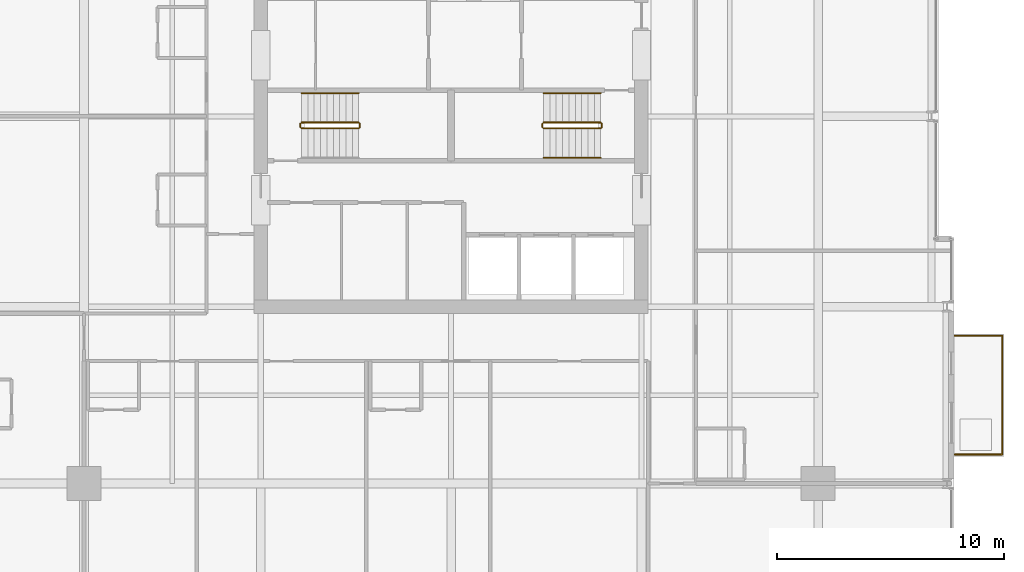
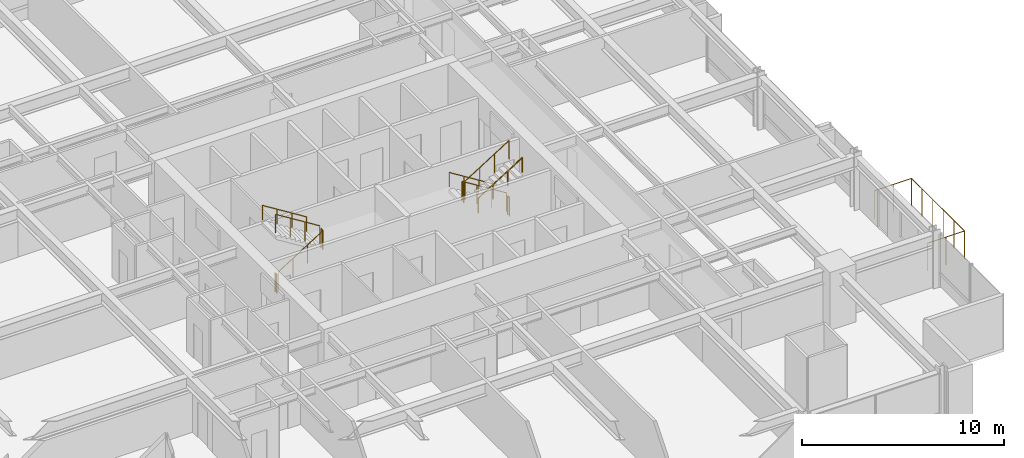
# One storey, part 33 of 34: 12 railings.
"""IFC4 building model written with IfcOpenShell, lengths in metres."""

from ifc_helpers import new_model, si_unit, direction, frame, origin, origin_2d, place, context, subcontext, project, spatial, circle, extrude, material, type_object, element, save


model = new_model("IFC4")

# Units and contexts
model_context = context("Model", 3, precision=1e-05, world=origin(), true_north=direction((0.0, 1.0)))
body_context = subcontext(model_context, "Body", "Model", "MODEL_VIEW")
ifc_project = project(units=[si_unit("LENGTHUNIT", "METRE"), si_unit("AREAUNIT", "SQUARE_METRE"), si_unit("VOLUMEUNIT", "CUBIC_METRE"), si_unit("PLANEANGLEUNIT", "RADIAN"), si_unit("MASSUNIT", "GRAM", prefix="KILO")], contexts=[model_context])

# Site, building, storey
site_placement = place(None, origin())
site = spatial("IfcSite", under=ifc_project, at=site_placement, CompositionType="ELEMENT")
building_placement = place(site_placement, origin())
building = spatial("IfcBuilding", under=site, at=building_placement, Name="Drelvath Grand Hotel", CompositionType="ELEMENT")
storey_placement = place(building_placement, frame((0.0, 0.0, 116.300048828125)))
storey = spatial("IfcBuildingStorey", under=building, at=storey_placement, Name="L29", CompositionType="ELEMENT", Elevation=116.300048828125)

# Railings
ifc_material_1 = material(Name="Painted Steel S275", Category="steel")
railing_type_1 = type_object("IfcRailingType", Name="Core Stair Wall Handrail 900", PredefinedType="HANDRAIL", material=ifc_material_1)
for number, where, name in (
    (1, (-4.080078125, 28.030029296875, 1.925048828125), "L29 ST-1 stair handrail 2"),
    (2, (6.60009765625, 28.030029296875, 0.175048828125), "L29 ST-2 stair handrail 1"),
):
    element("IfcRailing", number, at=place(storey_placement, frame(where)), inside=storey, type_object=railing_type_1, Name=name, PredefinedType="HANDRAIL", context=body_context, shape_type="SweptSolid", body=[
        extrude(circle(Radius=0.02392578125, at=origin_2d()), frame((0.0, 0.0, 0.8759765625), z_axis=(-0.848007534815, 0.0, 0.529984170421), x_axis=(0.0, -1.0, 0.0)), (0.0, 0.0, 1.0), 2.9716796875),
        extrude(circle(Radius=0.02099609375, at=origin_2d()), origin(), (0.0, 0.0, 1.0), 0.851806640625),
        extrude(circle(Radius=0.02099609375, at=origin_2d()), frame((-0.840087890625, 0.0, 0.52490234375)), (0.0, 0.0, 1.0), 0.851806640625),
        extrude(circle(Radius=0.02099609375, at=origin_2d()), frame((-1.679931640625, 0.0, 1.050048828125)), (0.0, 0.0, 1.0), 0.851806640625),
        extrude(circle(Radius=0.02099609375, at=origin_2d()), frame((-2.52001953125, 0.0, 1.574951171875)), (0.0, 0.0, 1.0), 0.851806640625),
    ])
railing_1_placement = place(storey_placement, frame((4.080078125, 25.169921875, 1.925048828125)))
element("IfcRailing", 3, at=railing_1_placement, inside=storey, type_object=railing_type_1, Name="L29 ST-2 stair handrail 2", PredefinedType="HANDRAIL", context=body_context, shape_type="SweptSolid", body=[
    extrude(circle(Radius=0.02392578125, at=origin_2d()), frame((0.0, 0.0, 0.8759765625), z_axis=(0.848007534815, 0.0, 0.529984170421), x_axis=(0.0, 1.0, 0.0)), (0.0, 0.0, 1.0), 2.9716796875),
    extrude(circle(Radius=0.02099609375, at=origin_2d()), origin(), (0.0, 0.0, 1.0), 0.851806640625),
    extrude(circle(Radius=0.02099609375, at=origin_2d()), frame((0.840087890625, 0.0, 0.52490234375)), (0.0, 0.0, 1.0), 0.851806640625),
    extrude(circle(Radius=0.02099609375, at=origin_2d()), frame((1.679931640625, 0.0, 1.050048828125)), (0.0, 0.0, 1.0), 0.851806640625),
    extrude(circle(Radius=0.02099609375, at=origin_2d()), frame((2.52001953125, 0.0, 1.574951171875)), (0.0, 0.0, 1.0), 0.851806640625),
])
railing_type_2 = type_object("IfcRailingType", Name="Core Stair Well Guardrail 1100", PredefinedType="GUARDRAIL", material=ifc_material_1)
railing_2_placement = place(storey_placement, frame((-6.60009765625, 26.469970703125, 0.175048828125)))
element("IfcRailing", 4, at=railing_2_placement, inside=storey, type_object=railing_type_2, Name="L29 ST-1 stair guard 1", PredefinedType="GUARDRAIL", context=body_context, shape_type="SweptSolid", body=[
    extrude(circle(Radius=0.02392578125, at=origin_2d()), frame((0.0, 0.0, 1.1259765625), z_axis=(0.848007534815, 0.0, 0.529984170421), x_axis=(0.0, 1.0, 0.0)), (0.0, 0.0, 1.0), 2.9716796875),
    extrude(circle(Radius=0.02099609375, at=origin_2d()), origin(), (0.0, 0.0, 1.0), 1.101806640625),
    extrude(circle(Radius=0.02099609375, at=origin_2d()), frame((0.840087890625, 0.0, 0.52490234375)), (0.0, 0.0, 1.0), 1.101806640625),
    extrude(circle(Radius=0.02099609375, at=origin_2d()), frame((1.679931640625, 0.0, 1.050048828125)), (0.0, 0.0, 1.0), 1.101806640625),
    extrude(circle(Radius=0.02099609375, at=origin_2d()), frame((2.52001953125, 0.0, 1.574951171875)), (0.0, 0.0, 1.0), 1.101806640625),
])
railing_3_placement = place(storey_placement, frame((-4.030029296875, 26.52001953125, 1.75)))
element("IfcRailing", 5, at=railing_3_placement, inside=storey, type_object=railing_type_2, Name="L29 ST-1 stair guard 2", PredefinedType="GUARDRAIL", context=body_context, shape_type="SweptSolid", body=[
    extrude(circle(Radius=0.02392578125, at=origin_2d()), frame((0.0, 0.0, 1.1259765625), z_axis=(0.0, 1.0, 0.0), x_axis=(-1.0, 0.0, 0.0)), (0.0, 0.0, 1.0), 0.159912109375),
    extrude(circle(Radius=0.02099609375, at=origin_2d()), origin(), (0.0, 0.0, 1.0), 1.101806640625),
    extrude(circle(Radius=0.02099609375, at=origin_2d()), frame((0.0, 0.159912109375, 0.0)), (0.0, 0.0, 1.0), 1.101806640625),
])
railing_4_placement = place(storey_placement, frame((-4.080078125, 26.72998046875, 1.925048828125)))
element("IfcRailing", 6, at=railing_4_placement, inside=storey, type_object=railing_type_2, Name="L29 ST-1 stair guard 3", PredefinedType="GUARDRAIL", context=body_context, shape_type="SweptSolid", body=[
    extrude(circle(Radius=0.02392578125, at=origin_2d()), frame((0.0, 0.0, 1.1259765625), z_axis=(-0.848007534815, 0.0, 0.529984170421), x_axis=(0.0, -1.0, 0.0)), (0.0, 0.0, 1.0), 2.9716796875),
    extrude(circle(Radius=0.02099609375, at=origin_2d()), origin(), (0.0, 0.0, 1.0), 1.101806640625),
    extrude(circle(Radius=0.02099609375, at=origin_2d()), frame((-0.840087890625, 0.0, 0.52490234375)), (0.0, 0.0, 1.0), 1.101806640625),
    extrude(circle(Radius=0.02099609375, at=origin_2d()), frame((-1.679931640625, 0.0, 1.050048828125)), (0.0, 0.0, 1.0), 1.101806640625),
    extrude(circle(Radius=0.02099609375, at=origin_2d()), frame((-2.52001953125, 0.0, 1.574951171875)), (0.0, 0.0, 1.0), 1.101806640625),
])
railing_5_placement = place(storey_placement, frame((-6.64990234375, 26.52001953125, 0.0)))
element("IfcRailing", 7, at=railing_5_placement, inside=storey, type_object=railing_type_2, Name="L29 ST-1 stair guard 4", PredefinedType="GUARDRAIL", context=body_context, shape_type="SweptSolid", body=[
    extrude(circle(Radius=0.02392578125, at=origin_2d()), frame((0.0, 0.0, 1.1259765625), z_axis=(0.0, 1.0, 0.0), x_axis=(-1.0, 0.0, 0.0)), (0.0, 0.0, 1.0), 0.159912109375),
    extrude(circle(Radius=0.02099609375, at=origin_2d()), origin(), (0.0, 0.0, 1.0), 1.101806640625),
    extrude(circle(Radius=0.02099609375, at=origin_2d()), frame((0.0, 0.159912109375, 0.0)), (0.0, 0.0, 1.0), 1.101806640625),
])
railing_6_placement = place(storey_placement, frame((6.60009765625, 26.72998046875, 0.175048828125)))
element("IfcRailing", 8, at=railing_6_placement, inside=storey, type_object=railing_type_2, Name="L29 ST-2 stair guard 1", PredefinedType="GUARDRAIL", context=body_context, shape_type="SweptSolid", body=[
    extrude(circle(Radius=0.02392578125, at=origin_2d()), frame((0.0, 0.0, 1.1259765625), z_axis=(-0.848007534815, 0.0, 0.529984170421), x_axis=(0.0, -1.0, 0.0)), (0.0, 0.0, 1.0), 2.9716796875),
    extrude(circle(Radius=0.02099609375, at=origin_2d()), origin(), (0.0, 0.0, 1.0), 1.101806640625),
    extrude(circle(Radius=0.02099609375, at=origin_2d()), frame((-0.840087890625, 0.0, 0.52490234375)), (0.0, 0.0, 1.0), 1.101806640625),
    extrude(circle(Radius=0.02099609375, at=origin_2d()), frame((-1.679931640625, 0.0, 1.050048828125)), (0.0, 0.0, 1.0), 1.101806640625),
    extrude(circle(Radius=0.02099609375, at=origin_2d()), frame((-2.52001953125, 0.0, 1.574951171875)), (0.0, 0.0, 1.0), 1.101806640625),
])
railing_7_placement = place(storey_placement, frame((4.030029296875, 26.679931640625, 1.75)))
element("IfcRailing", 9, at=railing_7_placement, inside=storey, type_object=railing_type_2, Name="L29 ST-2 stair guard 2", PredefinedType="GUARDRAIL", context=body_context, shape_type="SweptSolid", body=[
    extrude(circle(Radius=0.02392578125, at=origin_2d()), frame((0.0, 0.0, 1.1259765625), z_axis=(0.0, -1.0, 0.0), x_axis=(1.0, 0.0, 0.0)), (0.0, 0.0, 1.0), 0.159912109375),
    extrude(circle(Radius=0.02099609375, at=origin_2d()), origin(), (0.0, 0.0, 1.0), 1.101806640625),
    extrude(circle(Radius=0.02099609375, at=origin_2d()), frame((0.0, -0.159912109375, 0.0)), (0.0, 0.0, 1.0), 1.101806640625),
])
railing_8_placement = place(storey_placement, frame((4.080078125, 26.469970703125, 1.925048828125)))
element("IfcRailing", 10, at=railing_8_placement, inside=storey, type_object=railing_type_2, Name="L29 ST-2 stair guard 3", PredefinedType="GUARDRAIL", context=body_context, shape_type="SweptSolid", body=[
    extrude(circle(Radius=0.02392578125, at=origin_2d()), frame((0.0, 0.0, 1.1259765625), z_axis=(0.848007534815, 0.0, 0.529984170421), x_axis=(0.0, 1.0, 0.0)), (0.0, 0.0, 1.0), 2.9716796875),
    extrude(circle(Radius=0.02099609375, at=origin_2d()), origin(), (0.0, 0.0, 1.0), 1.101806640625),
    extrude(circle(Radius=0.02099609375, at=origin_2d()), frame((0.840087890625, 0.0, 0.52490234375)), (0.0, 0.0, 1.0), 1.101806640625),
    extrude(circle(Radius=0.02099609375, at=origin_2d()), frame((1.679931640625, 0.0, 1.050048828125)), (0.0, 0.0, 1.0), 1.101806640625),
    extrude(circle(Radius=0.02099609375, at=origin_2d()), frame((2.52001953125, 0.0, 1.574951171875)), (0.0, 0.0, 1.0), 1.101806640625),
])
railing_9_placement = place(storey_placement, frame((6.64990234375, 26.679931640625, 0.0)))
element("IfcRailing", 11, at=railing_9_placement, inside=storey, type_object=railing_type_2, Name="L29 ST-2 stair guard 4", PredefinedType="GUARDRAIL", context=body_context, shape_type="SweptSolid", body=[
    extrude(circle(Radius=0.02392578125, at=origin_2d()), frame((0.0, 0.0, 1.1259765625), z_axis=(0.0, -1.0, 0.0), x_axis=(1.0, 0.0, 0.0)), (0.0, 0.0, 1.0), 0.159912109375),
    extrude(circle(Radius=0.02099609375, at=origin_2d()), origin(), (0.0, 0.0, 1.0), 1.101806640625),
    extrude(circle(Radius=0.02099609375, at=origin_2d()), frame((0.0, -0.159912109375, 0.0)), (0.0, 0.0, 1.0), 1.101806640625),
])
ifc_material_2 = material(Name="Anodised Aluminium and Laminated Glass Balustrade", Category="aluminium")
railing_type_3 = type_object("IfcRailingType", Name="Raised Planter Edge Balustrade 1700", PredefinedType="BALUSTRADE", material=ifc_material_2)
railing_10_placement = place(storey_placement, frame((22.219970703125, 12.080078125, 0.0)))
element("IfcRailing", 12, at=railing_10_placement, inside=storey, type_object=railing_type_3, Name="L29 Tree Balcony Perimeter Balustrade 1", PredefinedType="BALUSTRADE", context=body_context, shape_type="SweptSolid", body=[
    extrude(circle(Radius=0.02392578125, at=origin_2d()), frame((0.0, 0.0, 1.67578125), z_axis=(1.0, 0.0, 0.0), x_axis=(0.0, 1.0, 0.0)), (0.0, 0.0, 1.0), 2.10009765625),
    extrude(circle(Radius=0.02392578125, at=origin_2d()), frame((2.10009765625, 0.0, 1.67578125), z_axis=(0.0, 1.0, 0.0), x_axis=(-1.0, 0.0, 0.0)), (0.0, 0.0, 1.0), 5.239990234375),
    extrude(circle(Radius=0.02392578125, at=origin_2d()), frame((2.10009765625, 5.239990234375, 1.67578125), z_axis=(-1.0, 0.0, 0.0), x_axis=(0.0, -1.0, 0.0)), (0.0, 0.0, 1.0), 2.10009765625),
    extrude(circle(Radius=0.02099609375, at=origin_2d()), origin(), (0.0, 0.0, 1.0), 1.65185546875),
    extrude(circle(Radius=0.02099609375, at=origin_2d()), frame((1.050048828125, 0.0, 0.0)), (0.0, 0.0, 1.0), 1.65185546875),
    extrude(circle(Radius=0.02099609375, at=origin_2d()), frame((2.10009765625, 0.0, 0.0)), (0.0, 0.0, 1.0), 1.65185546875),
    extrude(circle(Radius=0.02099609375, at=origin_2d()), frame((2.10009765625, 1.048095703125, 0.0)), (0.0, 0.0, 1.0), 1.65185546875),
    extrude(circle(Radius=0.02099609375, at=origin_2d()), frame((2.10009765625, 2.095947265625, 0.0)), (0.0, 0.0, 1.0), 1.65185546875),
    extrude(circle(Radius=0.02099609375, at=origin_2d()), frame((2.10009765625, 3.14404296875, 0.0)), (0.0, 0.0, 1.0), 1.65185546875),
    extrude(circle(Radius=0.02099609375, at=origin_2d()), frame((2.10009765625, 4.19189453125, 0.0)), (0.0, 0.0, 1.0), 1.65185546875),
    extrude(circle(Radius=0.02099609375, at=origin_2d()), frame((2.10009765625, 5.239990234375, 0.0)), (0.0, 0.0, 1.0), 1.65185546875),
    extrude(circle(Radius=0.02099609375, at=origin_2d()), frame((1.050048828125, 5.239990234375, 0.0)), (0.0, 0.0, 1.0), 1.65185546875),
    extrude(circle(Radius=0.02099609375, at=origin_2d()), frame((0.0, 5.239990234375, 0.0)), (0.0, 0.0, 1.0), 1.65185546875),
])

save(model, "model.ifc")
